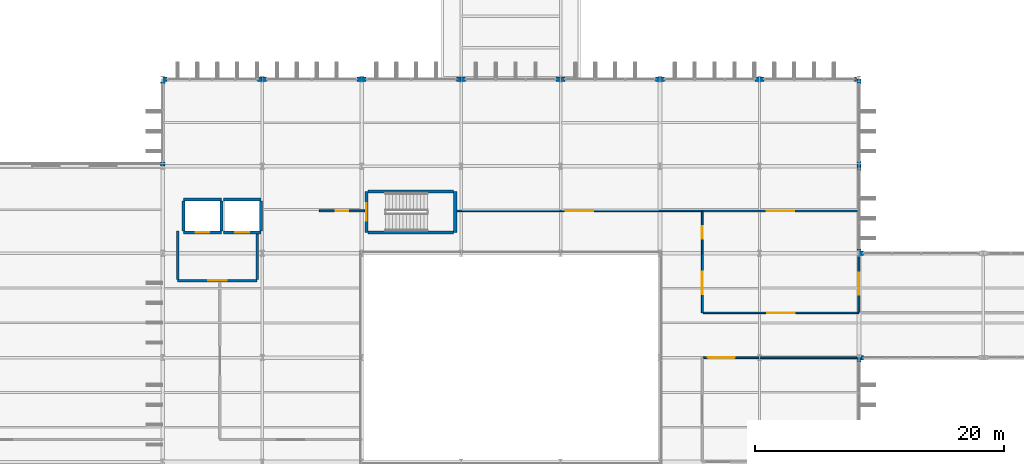
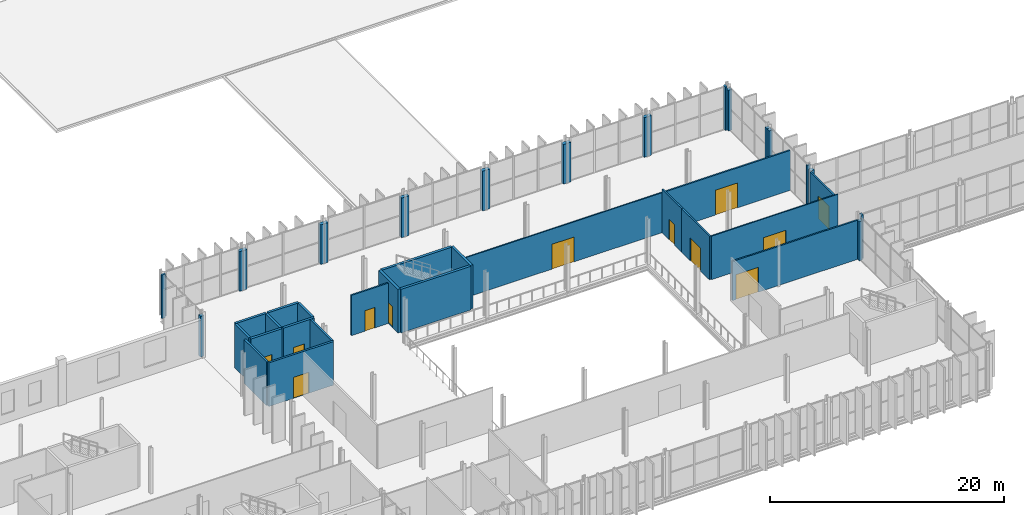
# One storey, part 99 of 120: 45 walls, 12 doors, 12 openings.
"""IFC4 building model written with IfcOpenShell, lengths in metres."""

from ifc_helpers import new_model, si_unit, direction, frame, frame_2d, origin, place, context, subcontext, project, spatial, rectangle, extrude, material, layer, layer_set, type_object, element, fill, save


model = new_model("IFC4")

# Units and contexts
model_context = context("Model", 3, precision=1e-05, world=origin(), true_north=direction((0.0, 1.0)))
body_context = subcontext(model_context, "Body", "Model", "MODEL_VIEW")
ifc_project = project(units=[si_unit("LENGTHUNIT", "METRE"), si_unit("AREAUNIT", "SQUARE_METRE"), si_unit("VOLUMEUNIT", "CUBIC_METRE"), si_unit("PLANEANGLEUNIT", "RADIAN"), si_unit("MASSUNIT", "GRAM", prefix="KILO")], contexts=[model_context])

# Site, building, storey
site_placement = place(None, origin())
site = spatial("IfcSite", under=ifc_project, at=site_placement, CompositionType="ELEMENT")
building_placement = place(site_placement, origin())
building = spatial("IfcBuilding", under=site, at=building_placement, Name="Vekula Escarpment Museum", CompositionType="ELEMENT")
storey_placement = place(building_placement, frame((0.0, 0.0, 13.199951171875)))
storey = spatial("IfcBuildingStorey", under=building, at=storey_placement, Name="L03", CompositionType="ELEMENT", Elevation=13.199951171875)

# Walls
ifc_material_1 = material(Name="Inkisi arkosic sandstone masonry", Category="masonry")
ifc_layer_1 = layer(ifc_material_1, 0.35009765625)
ifc_layer_set_1 = layer_set([ifc_layer_1], Name="Inkisi arkosic sandstone masonry")
wall_type_1 = type_object("IfcWallType", Name="WL-ALM-350", PredefinedType="SOLIDWALL", material=ifc_layer_set_1)
wall_1_placement = place(storey_placement, frame((126.0, 67.639892578125, 0.0), z_axis=(0.0, 0.0, 1.0), x_axis=(0.0, 1.0, 0.0)))
element("IfcWall", 1, at=wall_1_placement, inside=storey, type_object=wall_type_1, Name="Facade Jamb Pier L03-0583B", PredefinedType="SOLIDWALL", context=body_context, shape_type="SweptSolid", body=[
    extrude(rectangle(XDim=0.360107421875, YDim=0.35009765625, at=frame_2d((0.18017578125, 0.0))), origin(), (0.0, 0.0, 1.0), 4.10498046875),
])
wall_2_placement = place(storey_placement, frame((126.178955078125, 68.0, 0.0), z_axis=(0.0, 0.0, 1.0), x_axis=(1.0, 0.0, 0.0)))
element("IfcWall", 2, at=wall_2_placement, inside=storey, type_object=wall_type_1, Name="Facade Jamb Pier L03-0584A", PredefinedType="SOLIDWALL", context=body_context, shape_type="SweptSolid", body=[
    extrude(rectangle(XDim=0.18115234375, YDim=0.35009765625, at=frame_2d((0.090576171875, 0.0))), origin(), (0.0, 0.0, 1.0), 4.56005859375),
])
wall_3_placement = place(storey_placement, frame((126.360107421875, 76.39990234375, 0.0), z_axis=(0.0, 0.0, 1.0), x_axis=(-1.0, 0.0, 0.0)))
element("IfcWall", 3, at=wall_3_placement, inside=storey, type_object=wall_type_1, Name="Facade Jamb Pier L03-0628B", PredefinedType="SOLIDWALL", context=body_context, shape_type="SweptSolid", body=[
    extrude(rectangle(XDim=0.360107421875, YDim=0.35009765625, at=frame_2d((0.18017578125, 0.0))), origin(), (0.0, 0.0, 1.0), 4.155029296875),
])
wall_4_placement = place(storey_placement, frame((126.0, 76.5791015625, 0.0), z_axis=(0.0, 0.0, 1.0), x_axis=(0.0, 1.0, 0.0)))
element("IfcWall", 4, at=wall_4_placement, inside=storey, type_object=wall_type_1, Name="Facade Jamb Pier L03-0629A", PredefinedType="SOLIDWALL", context=body_context, shape_type="SweptSolid", body=[
    extrude(rectangle(XDim=0.180908203125, YDim=0.35009765625, at=frame_2d((0.09033203125, 0.0))), origin(), (0.0, 0.0, 1.0), 4.56005859375),
])
wall_5_placement = place(storey_placement, frame((126.0, 83.0400390625, 0.0), z_axis=(0.0, 0.0, 1.0), x_axis=(0.0, 1.0, 0.0)))
element("IfcWall", 5, at=wall_5_placement, inside=storey, type_object=wall_type_1, Name="Facade Jamb Pier L03-0630B", PredefinedType="SOLIDWALL", context=body_context, shape_type="SweptSolid", body=[
    extrude(rectangle(XDim=0.35986328125, YDim=0.35009765625, at=frame_2d((0.179931640625, 0.0))), origin(), (0.0, 0.0, 1.0), 4.255126953125),
])
wall_6_placement = place(storey_placement, frame((126.0, 83.39990234375, 0.0), z_axis=(0.0, 0.0, 1.0), x_axis=(0.0, 1.0, 0.0)))
element("IfcWall", 6, at=wall_6_placement, inside=storey, type_object=wall_type_1, Name="Facade Jamb Pier L03-0631A", PredefinedType="SOLIDWALL", context=body_context, shape_type="SweptSolid", body=[
    extrude(rectangle(XDim=0.360107421875, YDim=0.35009765625, at=frame_2d((0.18017578125, 0.0))), origin(), (0.0, 0.0, 1.0), 4.255126953125),
])
wall_7_placement = place(storey_placement, frame((126.0, 90.0400390625, 0.0), z_axis=(0.0, 0.0, 1.0), x_axis=(0.0, 1.0, 0.0)))
element("IfcWall", 7, at=wall_7_placement, inside=storey, type_object=wall_type_1, Name="Facade Jamb Pier L03-0632B", PredefinedType="SOLIDWALL", context=body_context, shape_type="SweptSolid", body=[
    extrude(rectangle(XDim=0.35986328125, YDim=0.35009765625, at=frame_2d((0.179931640625, 0.0))), origin(), (0.0, 0.0, 1.0), 4.255126953125),
])
wall_8_placement = place(storey_placement, frame((125.821044921875, 90.39990234375, 0.0), z_axis=(0.0, 0.0, 1.0), x_axis=(-1.0, 0.0, 0.0)))
element("IfcWall", 8, at=wall_8_placement, inside=storey, type_object=wall_type_1, Name="Facade Jamb Pier L03-0633A", PredefinedType="SOLIDWALL", context=body_context, shape_type="SweptSolid", body=[
    extrude(rectangle(XDim=0.18115234375, YDim=0.35009765625, at=frame_2d((0.090576171875, 0.0))), origin(), (0.0, 0.0, 1.0), 4.56005859375),
])
for number, where, z_axis, x_axis, name in (
    (9, (118.360107421875, 90.39990234375, 0.0), (0.0, 0.0, 1.0), (-1.0, 0.0, 0.0), "Facade Jamb Pier L03-0634B"),
    (10, (118.0, 90.39990234375, 0.0), (0.0, 0.0, 1.0), (-1.0, 0.0, 0.0), "Facade Jamb Pier L03-0635A"),
    (11, (110.360107421875, 90.39990234375, 0.0), (0.0, 0.0, 1.0), (-1.0, 0.0, 0.0), "Facade Jamb Pier L03-0636B"),
    (12, (110.0, 90.39990234375, 0.0), (0.0, 0.0, 1.0), (-1.0, 0.0, 0.0), "Facade Jamb Pier L03-0637A"),
    (13, (102.360107421875, 90.39990234375, 0.0), (0.0, 0.0, 1.0), (-1.0, 0.0, 0.0), "Facade Jamb Pier L03-0638B"),
    (14, (102.0, 90.39990234375, 0.0), (0.0, 0.0, 1.0), (-1.0, 0.0, 0.0), "Facade Jamb Pier L03-0639A"),
    (15, (94.360107421875, 90.39990234375, 0.0), (0.0, 0.0, 1.0), (-1.0, 0.0, 0.0), "Facade Jamb Pier L03-0640B"),
    (16, (94.0, 90.39990234375, 0.0), (0.0, 0.0, 1.0), (-1.0, 0.0, 0.0), "Facade Jamb Pier L03-0641A"),
    (17, (86.360107421875, 90.39990234375, 0.0), (0.0, 0.0, 1.0), (-1.0, 0.0, 0.0), "Facade Jamb Pier L03-0642B"),
    (18, (86.0, 90.39990234375, 0.0), (0.0, 0.0, 1.0), (-1.0, 0.0, 0.0), "Facade Jamb Pier L03-0643A"),
    (19, (78.360107421875, 90.39990234375, 0.0), (0.0, 0.0, 1.0), (-1.0, 0.0, 0.0), "Facade Jamb Pier L03-0644B"),
    (20, (78.0, 90.39990234375, 0.0), (0.0, 0.0, 1.0), (-1.0, 0.0, 0.0), "Facade Jamb Pier L03-0645A"),
    (21, (70.360107421875, 90.39990234375, 0.0), (0.0, 0.0, 1.0), (-1.0, 0.0, 0.0), "Facade Jamb Pier L03-0646B"),
):
    element("IfcWall", number, at=place(storey_placement, frame(where, z_axis=z_axis, x_axis=x_axis)), inside=storey, type_object=wall_type_1, Name=name, PredefinedType="SOLIDWALL", context=body_context, shape_type="SweptSolid", body=[
        extrude(rectangle(XDim=0.360107421875, YDim=0.35009765625, at=frame_2d((0.18017578125, 0.0))), origin(), (0.0, 0.0, 1.0), 4.155029296875),
    ])
wall_9_placement = place(storey_placement, frame((70.0, 90.220947265625, 0.0), z_axis=(0.0, 0.0, 1.0), x_axis=(0.0, -1.0, 0.0)))
element("IfcWall", 22, at=wall_9_placement, inside=storey, type_object=wall_type_1, Name="Facade Jamb Pier L03-0647A", PredefinedType="SOLIDWALL", context=body_context, shape_type="SweptSolid", body=[
    extrude(rectangle(XDim=0.180908203125, YDim=0.35009765625, at=frame_2d((0.09033203125, 0.0))), origin(), (0.0, 0.0, 1.0), 4.56005859375),
])
wall_10_placement = place(storey_placement, frame((70.0, 83.760009765625, 0.0), z_axis=(0.0, 0.0, 1.0), x_axis=(0.0, -1.0, 0.0)))
element("IfcWall", 23, at=wall_10_placement, inside=storey, type_object=wall_type_1, Name="Facade Jamb Pier L03-0648B", PredefinedType="SOLIDWALL", context=body_context, shape_type="SweptSolid", body=[
    extrude(rectangle(XDim=0.360107421875, YDim=0.35009765625, at=frame_2d((0.18017578125, 0.0))), origin(), (0.0, 0.0, 1.0), 4.255126953125),
])

# Wall, opening, door
ifc_material_2 = material(Name="Concrete C35/45", Category="concrete")
ifc_layer_2 = layer(ifc_material_2, 0.25)
ifc_layer_set_2 = layer_set([ifc_layer_2], Name="Concrete C35/45")
wall_type_2 = type_object("IfcWallType", Name="WL-CORE-250", PredefinedType="SHEAR", material=ifc_layer_set_2)
wall_11_placement = place(storey_placement, frame((86.375, 78.074951171875, 0.0), z_axis=(0.0, 0.0, 1.0), x_axis=(0.0, 1.0, 0.0)))
wall_11 = element("IfcWall", 24, at=wall_11_placement, inside=storey, type_object=wall_type_2, Name="Stair Core Wall ST-09 L03 W", PredefinedType="SHEAR", context=body_context, shape_type="SweptSolid", body=[
    extrude(rectangle(XDim=3.2900390625, YDim=0.25, at=frame_2d((1.64501953125, 0.0))), origin(), (0.0, 0.0, 1.0), 4.56005859375),
])
opening_1_placement = place(wall_11_placement, frame((0.945068359375, 0.0, 0.0)))
opening_1 = element("IfcOpeningElement", 25, at=opening_1_placement, cuts=wall_11, Name="Opening DR-FD60", PredefinedType="OPENING", context=body_context, shape_type="SweptSolid", body=[
    extrude(rectangle(XDim=1.39990234375, YDim=2.199951171875, at=frame_2d((0.699951171875, 1.10009765625))), frame((0.0, 0.135009765625, 0.0), z_axis=(0.0, -1.0, 0.0), x_axis=(1.0, 0.0, 0.0)), (0.0, 0.0, 1.0), 0.27001953125),
])
ifc_material_3 = material(Name="Fire-rated steel stair door", Category="steel")
door_type_1 = type_object("IfcDoorType", Name="DR-STAIR-1400x2200", OperationType="NOTDEFINED", PredefinedType="DOOR", material=ifc_material_3)
door_1_placement = place(opening_1_placement, origin())
door_1 = element("IfcDoor", 26, at=door_1_placement, inside=storey, type_object=door_type_1, Name="Protected Exit Stair Door ST-09 L03", OperationType="SINGLE_SWING_RIGHT", OverallHeight=2.199951171875, OverallWidth=1.39990234375, PredefinedType="DOOR", context=body_context, shape_type="SweptSolid", body=[
    extrude(rectangle(XDim=1.39990234375, YDim=2.199951171875, at=frame_2d((0.699951171875, 1.10009765625))), frame((0.0, 0.02490234375, 0.0), z_axis=(0.0, -1.0, 0.0), x_axis=(1.0, 0.0, 0.0)), (0.0, 0.0, 1.0), 0.050048828125),
])
fill(opening_1, door_1)

# Walls
wall_12_placement = place(storey_placement, frame((93.52490234375, 78.074951171875, 0.0), z_axis=(0.0, 0.0, 1.0), x_axis=(0.0, 1.0, 0.0)))
element("IfcWall", 27, at=wall_12_placement, inside=storey, type_object=wall_type_2, Name="Stair Core Wall ST-09 L03 E", PredefinedType="SHEAR", context=body_context, shape_type="SweptSolid", body=[
    extrude(rectangle(XDim=3.2900390625, YDim=0.25, at=frame_2d((1.64501953125, 0.0))), origin(), (0.0, 0.0, 1.0), 4.56005859375),
])
for number, where, z_axis, x_axis, name in (
    (28, (86.50390625, 78.074951171875, 0.0), (0.0, 0.0, 1.0), (1.0, 0.0, 0.0), "Stair Core Wall ST-09 L03 S"),
    (29, (86.50390625, 81.364990234375, 0.0), (0.0, 0.0, 1.0), (1.0, 0.0, 0.0), "Stair Core Wall ST-09 L03 N"),
):
    element("IfcWall", number, at=place(storey_placement, frame(where, z_axis=z_axis, x_axis=x_axis)), inside=storey, type_object=wall_type_2, Name=name, PredefinedType="SHEAR", context=body_context, shape_type="SweptSolid", body=[
        extrude(rectangle(XDim=6.89208984375, YDim=0.25, at=frame_2d((3.446044921875, 0.0))), origin(), (0.0, 0.0, 1.0), 4.56005859375),
    ])

# Wall, opening, door
ifc_material_4 = material(Name="Concrete C35/45", Category="concrete")
ifc_layer_3 = layer(ifc_material_4, 0.199951171875)
ifc_layer_set_3 = layer_set([ifc_layer_3], Name="Concrete C35/45")
wall_type_3 = type_object("IfcWallType", Name="WL-FFL-200", PredefinedType="PARTITIONING", material=ifc_layer_set_3)
wall_13_placement = place(storey_placement, frame((71.199951171875, 74.199951171875, 0.0), z_axis=(0.0, 0.0, 1.0), x_axis=(1.0, 0.0, 0.0)))
wall_13 = element("IfcWall", 30, at=wall_13_placement, inside=storey, type_object=wall_type_3, Name="Lift Lobby Wall LP-01 L03 S", PredefinedType="PARTITIONING", context=body_context, shape_type="SweptSolid", body=[
    extrude(rectangle(XDim=6.400146484375, YDim=0.199951171875, at=frame_2d((3.2001953125, 0.0))), origin(), (0.0, 0.0, 1.0), 4.56005859375),
])
opening_2_placement = place(wall_13_placement, frame((2.449951171875, 0.0, 0.0)))
opening_2 = element("IfcOpeningElement", 31, at=opening_2_placement, cuts=wall_13, Name="Opening DR-FD60L", PredefinedType="OPENING", context=body_context, shape_type="SweptSolid", body=[
    extrude(rectangle(XDim=1.5, YDim=2.199951171875, at=frame_2d((0.75, 1.10009765625))), frame((0.0, 0.10986328125, 0.0), z_axis=(0.0, -1.0, 0.0), x_axis=(1.0, 0.0, 0.0)), (0.0, 0.0, 1.0), 0.219970703125),
])
ifc_material_5 = material(Name="Fire-rated glazed lobby door", Category="steel")
door_type_2 = type_object("IfcDoorType", Name="DR-FFLOB-1500x2200", OperationType="NOTDEFINED", PredefinedType="DOOR", material=ifc_material_5)
door_2_placement = place(opening_2_placement, origin())
door_2 = element("IfcDoor", 32, at=door_2_placement, inside=storey, type_object=door_type_2, Name="Lift Lobby Fire Door LP-01 L03", OperationType="SINGLE_SWING_LEFT", OverallHeight=2.199951171875, OverallWidth=1.5, PredefinedType="DOOR", context=body_context, shape_type="SweptSolid", body=[
    extrude(rectangle(XDim=1.5, YDim=2.199951171875, at=frame_2d((0.75, 1.10009765625))), frame((0.0, 0.02490234375, 0.0), z_axis=(0.0, -1.0, 0.0), x_axis=(1.0, 0.0, 0.0)), (0.0, 0.0, 1.0), 0.050048828125),
])
fill(opening_2, door_2)

# Walls
wall_14_placement = place(storey_placement, frame((71.199951171875, 74.303955078125, 0.0), z_axis=(0.0, 0.0, 1.0), x_axis=(0.0, 1.0, 0.0)))
element("IfcWall", 33, at=wall_14_placement, inside=storey, type_object=wall_type_3, Name="Lift Lobby Wall LP-01 L03 W", PredefinedType="PARTITIONING", context=body_context, shape_type="SweptSolid", body=[
    extrude(rectangle(XDim=3.89599609375, YDim=0.199951171875, at=frame_2d((1.947998046875, 0.0))), origin(), (0.0, 0.0, 1.0), 4.56005859375),
])
wall_15_placement = place(storey_placement, frame((77.60009765625, 74.303955078125, 0.0), z_axis=(0.0, 0.0, 1.0), x_axis=(0.0, 1.0, 0.0)))
element("IfcWall", 34, at=wall_15_placement, inside=storey, type_object=wall_type_3, Name="Lift Lobby Wall LP-01 L03 E", PredefinedType="PARTITIONING", context=body_context, shape_type="SweptSolid", body=[
    extrude(rectangle(XDim=3.652099609375, YDim=0.199951171875, at=frame_2d((1.826171875, 0.0))), origin(), (0.0, 0.0, 1.0), 4.56005859375),
])

# Wall, opening, door
ifc_material_6 = material(Name="Lightweight studio partition", Category="gypsum")
ifc_layer_4 = layer(ifc_material_6, 0.1201171875)
ifc_layer_set_4 = layer_set([ifc_layer_4], Name="Lightweight studio partition")
wall_type_4 = type_object("IfcWallType", Name="WL-PART-120", PredefinedType="PARTITIONING", material=ifc_layer_set_4)
wall_16_placement = place(storey_placement, frame((93.654052734375, 79.800048828125, 0.0), z_axis=(0.0, 0.0, 1.0), x_axis=(1.0, 0.0, 0.0)))
wall_16 = element("IfcWall", 35, at=wall_16_placement, inside=storey, type_object=wall_type_4, Name="Interior Partition WL-INT-L03-0030", PredefinedType="PARTITIONING", context=body_context, shape_type="SweptSolid", body=[
    extrude(rectangle(XDim=19.745849609375, YDim=0.1201171875, at=frame_2d((9.873046875, 0.0))), origin(), (0.0, 0.0, 1.0), 4.18505859375),
])
opening_3_placement = place(wall_16_placement, frame((8.77294921875, 0.0, 0.0)))
opening_3 = element("IfcOpeningElement", 36, at=opening_3_placement, cuts=wall_16, Name="Opening DR-GL22", PredefinedType="OPENING", context=body_context, shape_type="SweptSolid", body=[
    extrude(rectangle(XDim=2.199951171875, YDim=2.60009765625, at=frame_2d((1.10009765625, 1.300048828125))), frame((0.0, 0.070068359375, 0.0), z_axis=(0.0, -1.0, 0.0), x_axis=(1.0, 0.0, 0.0)), (0.0, 0.0, 1.0), 0.14013671875),
])
ifc_material_7 = material(Name="Double acoustic timber gallery door", Category="wood")
door_type_3 = type_object("IfcDoorType", Name="DR-GAL-2200x2600", OperationType="NOTDEFINED", PredefinedType="DOOR", material=ifc_material_7)
door_3_placement = place(opening_3_placement, origin())
door_3 = element("IfcDoor", 37, at=door_3_placement, inside=storey, type_object=door_type_3, Name="Interior Door L03-029", OperationType="SINGLE_SWING_RIGHT", OverallHeight=2.60009765625, OverallWidth=2.199951171875, PredefinedType="DOOR", context=body_context, shape_type="SweptSolid", body=[
    extrude(rectangle(XDim=2.199951171875, YDim=2.60009765625, at=frame_2d((1.10009765625, 1.300048828125))), frame((0.0, 0.02490234375, 0.0), z_axis=(0.0, -1.0, 0.0), x_axis=(1.0, 0.0, 0.0)), (0.0, 0.0, 1.0), 0.050048828125),
])
fill(opening_3, door_3)

wall_17_placement = place(storey_placement, frame((113.48388671875, 71.60009765625, 0.0), z_axis=(0.0, 0.0, 1.0), x_axis=(1.0, 0.0, 0.0)))
wall_17 = element("IfcWall", 38, at=wall_17_placement, inside=storey, type_object=wall_type_4, Name="Interior Partition WL-INT-L03-0036", PredefinedType="PARTITIONING", context=body_context, shape_type="SweptSolid", body=[
    extrude(rectangle(XDim=12.51611328125, YDim=0.1201171875, at=frame_2d((6.258056640625, 0.0))), origin(), (0.0, 0.0, 1.0), 4.56005859375),
])
opening_4_placement = place(wall_17_placement, frame((5.157958984375, 0.0, 0.0)))
opening_4 = element("IfcOpeningElement", 39, at=opening_4_placement, cuts=wall_17, Name="Opening DR-GL22", PredefinedType="OPENING", context=body_context, shape_type="SweptSolid", body=[
    extrude(rectangle(XDim=2.199951171875, YDim=2.60009765625, at=frame_2d((1.10009765625, 1.300048828125))), frame((0.0, 0.070068359375, 0.0), z_axis=(0.0, -1.0, 0.0), x_axis=(1.0, 0.0, 0.0)), (0.0, 0.0, 1.0), 0.14013671875),
])
door_4_placement = place(opening_4_placement, origin())
door_4 = element("IfcDoor", 40, at=door_4_placement, inside=storey, type_object=door_type_3, Name="Interior Door L03-035", OperationType="SINGLE_SWING_RIGHT", OverallHeight=2.60009765625, OverallWidth=2.199951171875, PredefinedType="DOOR", context=body_context, shape_type="SweptSolid", body=[
    extrude(rectangle(XDim=2.199951171875, YDim=2.60009765625, at=frame_2d((1.10009765625, 1.300048828125))), frame((0.0, 0.02490234375, 0.0), z_axis=(0.0, -1.0, 0.0), x_axis=(1.0, 0.0, 0.0)), (0.0, 0.0, 1.0), 0.050048828125),
])
fill(opening_4, door_4)

ifc_material_8 = material(Name="Gypsum board dry-lined partition", Category="gypsum")
ifc_layer_5 = layer(ifc_material_8, 0.14990234375)
ifc_layer_set_5 = layer_set([ifc_layer_5], Name="Gypsum board dry-lined partition")
wall_type_5 = type_object("IfcWallType", Name="WL-PART-150", PredefinedType="PARTITIONING", material=ifc_layer_set_5)
wall_18_placement = place(storey_placement, frame((113.39990234375, 76.39990234375, 0.0), z_axis=(0.0, 0.0, 1.0), x_axis=(0.0, 1.0, 0.0)))
wall_18 = element("IfcWall", 41, at=wall_18_placement, inside=storey, type_object=wall_type_5, Name="Interior Partition WL-INT-L03-0032", PredefinedType="PARTITIONING", context=body_context, shape_type="SweptSolid", body=[
    extrude(rectangle(XDim=3.336181640625, YDim=0.14990234375, at=frame_2d((1.66796875, 0.0))), origin(), (0.0, 0.0, 1.0), 4.56005859375),
])
opening_5_placement = place(wall_18_placement, frame((1.16796875, 0.0, 0.0)))
opening_5 = element("IfcOpeningElement", 42, at=opening_5_placement, cuts=wall_18, Name="Opening DR-OF10", PredefinedType="OPENING", context=body_context, shape_type="SweptSolid", body=[
    extrude(rectangle(XDim=1.0, YDim=2.14990234375, at=frame_2d((0.5, 1.074951171875))), frame((0.0, 0.0849609375, 0.0), z_axis=(0.0, -1.0, 0.0), x_axis=(1.0, 0.0, 0.0)), (0.0, 0.0, 1.0), 0.169921875),
])
ifc_material_9 = material(Name="Solid core timber study door", Category="wood")
door_type_4 = type_object("IfcDoorType", Name="DR-OFF-1000x2150", OperationType="NOTDEFINED", PredefinedType="DOOR", material=ifc_material_9)
door_5_placement = place(opening_5_placement, origin())
door_5 = element("IfcDoor", 43, at=door_5_placement, inside=storey, type_object=door_type_4, Name="Interior Door L03-031", OperationType="SINGLE_SWING_RIGHT", OverallHeight=2.14990234375, OverallWidth=1.0, PredefinedType="DOOR", context=body_context, shape_type="SweptSolid", body=[
    extrude(rectangle(XDim=1.0, YDim=2.14990234375, at=frame_2d((0.5, 1.074951171875))), frame((0.0, 0.02490234375, 0.0), z_axis=(0.0, -1.0, 0.0), x_axis=(1.0, 0.0, 0.0)), (0.0, 0.0, 1.0), 0.050048828125),
])
fill(opening_5, door_5)

wall_19_placement = place(storey_placement, frame((113.39990234375, 79.800048828125, 0.0), z_axis=(0.0, 0.0, 1.0), x_axis=(1.0, 0.0, 0.0)))
wall_19 = element("IfcWall", 44, at=wall_19_placement, inside=storey, type_object=wall_type_5, Name="Interior Partition WL-INT-L03-0035", PredefinedType="PARTITIONING", context=body_context, shape_type="SweptSolid", body=[
    extrude(rectangle(XDim=12.60009765625, YDim=0.14990234375, at=frame_2d((6.300048828125, 0.0))), origin(), (0.0, 0.0, 1.0), 4.18505859375),
])
opening_6_placement = place(wall_19_placement, frame((5.199951171875, 0.0, 0.0)))
opening_6 = element("IfcOpeningElement", 45, at=opening_6_placement, cuts=wall_19, Name="Opening DR-GL22", PredefinedType="OPENING", context=body_context, shape_type="SweptSolid", body=[
    extrude(rectangle(XDim=2.199951171875, YDim=2.60009765625, at=frame_2d((1.10009765625, 1.300048828125))), frame((0.0, 0.0849609375, 0.0), z_axis=(0.0, -1.0, 0.0), x_axis=(1.0, 0.0, 0.0)), (0.0, 0.0, 1.0), 0.169921875),
])
door_6_placement = place(opening_6_placement, origin())
door_6 = element("IfcDoor", 46, at=door_6_placement, inside=storey, type_object=door_type_3, Name="Interior Door L03-034", OperationType="SINGLE_SWING_LEFT", OverallHeight=2.60009765625, OverallWidth=2.199951171875, PredefinedType="DOOR", context=body_context, shape_type="SweptSolid", body=[
    extrude(rectangle(XDim=2.199951171875, YDim=2.60009765625, at=frame_2d((1.10009765625, 1.300048828125))), frame((0.0, 0.02490234375, 0.0), z_axis=(0.0, -1.0, 0.0), x_axis=(1.0, 0.0, 0.0)), (0.0, 0.0, 1.0), 0.050048828125),
])
fill(opening_6, door_6)

wall_20_placement = place(storey_placement, frame((113.47900390625, 68.0, 0.0), z_axis=(0.0, 0.0, 1.0), x_axis=(1.0, 0.0, 0.0)))
wall_20 = element("IfcWall", 47, at=wall_20_placement, inside=storey, type_object=wall_type_5, Name="Interior Partition WL-INT-L03-0038", PredefinedType="PARTITIONING", context=body_context, shape_type="SweptSolid", body=[
    extrude(rectangle(XDim=12.342041015625, YDim=0.14990234375, at=frame_2d((6.1708984375, 0.0))), origin(), (0.0, 0.0, 1.0), 4.094970703125),
])
opening_7_placement = place(wall_20_placement, frame((0.35009765625, 0.0, 0.0)))
opening_7 = element("IfcOpeningElement", 48, at=opening_7_placement, cuts=wall_20, Name="Opening DR-GL22", PredefinedType="OPENING", context=body_context, shape_type="SweptSolid", body=[
    extrude(rectangle(XDim=2.199951171875, YDim=2.60009765625, at=frame_2d((1.10009765625, 1.300048828125))), frame((0.0, 0.0849609375, 0.0), z_axis=(0.0, -1.0, 0.0), x_axis=(1.0, 0.0, 0.0)), (0.0, 0.0, 1.0), 0.169921875),
])
door_7_placement = place(opening_7_placement, origin())
door_7 = element("IfcDoor", 49, at=door_7_placement, inside=storey, type_object=door_type_3, Name="Interior Door L03-037", OperationType="SINGLE_SWING_RIGHT", OverallHeight=2.60009765625, OverallWidth=2.199951171875, PredefinedType="DOOR", context=body_context, shape_type="SweptSolid", body=[
    extrude(rectangle(XDim=2.199951171875, YDim=2.60009765625, at=frame_2d((1.10009765625, 1.300048828125))), frame((0.0, 0.02490234375, 0.0), z_axis=(0.0, -1.0, 0.0), x_axis=(1.0, 0.0, 0.0)), (0.0, 0.0, 1.0), 0.050048828125),
])
fill(opening_7, door_7)

ifc_material_10 = material(Name="Gypsum board gallery partition", Category="gypsum")
ifc_layer_6 = layer(ifc_material_10, 0.159912109375)
ifc_layer_set_6 = layer_set([ifc_layer_6], Name="Gypsum board gallery partition")
wall_type_6 = type_object("IfcWallType", Name="WL-PART-160", PredefinedType="PARTITIONING", material=ifc_layer_set_6)
wall_21_placement = place(storey_placement, frame((113.39990234375, 71.60009765625, 0.0), z_axis=(0.0, 0.0, 1.0), x_axis=(0.0, 1.0, 0.0)))
wall_21 = element("IfcWall", 50, at=wall_21_placement, inside=storey, type_object=wall_type_6, Name="Interior Partition WL-INT-L03-0028", PredefinedType="PARTITIONING", context=body_context, shape_type="SweptSolid", body=[
    extrude(rectangle(XDim=4.7998046875, YDim=0.159912109375, at=frame_2d((2.39990234375, 0.0))), origin(), (0.0, 0.0, 1.0), 4.56005859375),
])
opening_8_placement = place(wall_21_placement, frame((1.5, 0.0, 0.0)))
opening_8 = element("IfcOpeningElement", 51, at=opening_8_placement, cuts=wall_21, Name="Opening DR-GL18", PredefinedType="OPENING", context=body_context, shape_type="SweptSolid", body=[
    extrude(rectangle(XDim=1.800048828125, YDim=2.39990234375, at=frame_2d((0.89990234375, 1.199951171875))), frame((0.0, 0.08984375, 0.0), z_axis=(0.0, -1.0, 0.0), x_axis=(1.0, 0.0, 0.0)), (0.0, 0.0, 1.0), 0.179931640625),
])
ifc_material_11 = material(Name="Double glazed gallery portal door", Category="steel")
door_type_5 = type_object("IfcDoorType", Name="DR-GAL-1800x2400", OperationType="NOTDEFINED", PredefinedType="DOOR", material=ifc_material_11)
door_8_placement = place(opening_8_placement, origin())
door_8 = element("IfcDoor", 52, at=door_8_placement, inside=storey, type_object=door_type_5, Name="Interior Door L03-027", OperationType="SINGLE_SWING_RIGHT", OverallHeight=2.39990234375, OverallWidth=1.800048828125, PredefinedType="DOOR", context=body_context, shape_type="SweptSolid", body=[
    extrude(rectangle(XDim=1.800048828125, YDim=2.39990234375, at=frame_2d((0.89990234375, 1.199951171875))), frame((0.0, 0.02490234375, 0.0), z_axis=(0.0, -1.0, 0.0), x_axis=(1.0, 0.0, 0.0)), (0.0, 0.0, 1.0), 0.050048828125),
])
fill(opening_8, door_8)

wall_22_placement = place(storey_placement, frame((82.60009765625, 79.800048828125, 0.0), z_axis=(0.0, 0.0, 1.0), x_axis=(1.0, 0.0, 0.0)))
wall_22 = element("IfcWall", 53, at=wall_22_placement, inside=storey, type_object=wall_type_6, Name="Interior Partition WL-INT-L03-0031", PredefinedType="PARTITIONING", context=body_context, shape_type="SweptSolid", body=[
    extrude(rectangle(XDim=3.64599609375, YDim=0.159912109375, at=frame_2d((1.822998046875, 0.0))), origin(), (0.0, 0.0, 1.0), 4.215087890625),
])
opening_9_placement = place(wall_22_placement, frame((1.322998046875, 0.0, 0.0)))
opening_9 = element("IfcOpeningElement", 54, at=opening_9_placement, cuts=wall_22, Name="Opening DR-OF10", PredefinedType="OPENING", context=body_context, shape_type="SweptSolid", body=[
    extrude(rectangle(XDim=1.0, YDim=2.14990234375, at=frame_2d((0.5, 1.074951171875))), frame((0.0, 0.08984375, 0.0), z_axis=(0.0, -1.0, 0.0), x_axis=(1.0, 0.0, 0.0)), (0.0, 0.0, 1.0), 0.179931640625),
])
door_9_placement = place(opening_9_placement, origin())
door_9 = element("IfcDoor", 55, at=door_9_placement, inside=storey, type_object=door_type_4, Name="Interior Door L03-030", OperationType="SINGLE_SWING_LEFT", OverallHeight=2.14990234375, OverallWidth=1.0, PredefinedType="DOOR", context=body_context, shape_type="SweptSolid", body=[
    extrude(rectangle(XDim=1.0, YDim=2.14990234375, at=frame_2d((0.5, 1.074951171875))), frame((0.0, 0.02490234375, 0.0), z_axis=(0.0, -1.0, 0.0), x_axis=(1.0, 0.0, 0.0)), (0.0, 0.0, 1.0), 0.050048828125),
])
fill(opening_9, door_9)

wall_23_placement = place(storey_placement, frame((126.0, 71.6640625, 0.0), z_axis=(0.0, 0.0, 1.0), x_axis=(0.0, 1.0, 0.0)))
wall_23 = element("IfcWall", 56, at=wall_23_placement, inside=storey, type_object=wall_type_6, Name="Interior Partition WL-INT-L03-0037", PredefinedType="PARTITIONING", context=body_context, shape_type="SweptSolid", body=[
    extrude(rectangle(XDim=4.556884765625, YDim=0.159912109375, at=frame_2d((2.2783203125, 0.0))), origin(), (0.0, 0.0, 1.0), 4.10498046875),
])
opening_10_placement = place(wall_23_placement, frame((1.37841796875, 0.0, 0.0)))
opening_10 = element("IfcOpeningElement", 57, at=opening_10_placement, cuts=wall_23, Name="Opening DR-GL18", PredefinedType="OPENING", context=body_context, shape_type="SweptSolid", body=[
    extrude(rectangle(XDim=1.800048828125, YDim=2.39990234375, at=frame_2d((0.89990234375, 1.199951171875))), frame((0.0, 0.08984375, 0.0), z_axis=(0.0, -1.0, 0.0), x_axis=(1.0, 0.0, 0.0)), (0.0, 0.0, 1.0), 0.179931640625),
])
door_10_placement = place(opening_10_placement, origin())
door_10 = element("IfcDoor", 58, at=door_10_placement, inside=storey, type_object=door_type_5, Name="Interior Door L03-036", OperationType="SINGLE_SWING_LEFT", OverallHeight=2.39990234375, OverallWidth=1.800048828125, PredefinedType="DOOR", context=body_context, shape_type="SweptSolid", body=[
    extrude(rectangle(XDim=1.800048828125, YDim=2.39990234375, at=frame_2d((0.89990234375, 1.199951171875))), frame((0.0, 0.02490234375, 0.0), z_axis=(0.0, -1.0, 0.0), x_axis=(1.0, 0.0, 0.0)), (0.0, 0.0, 1.0), 0.050048828125),
])
fill(opening_10, door_10)

ifc_material_12 = material(Name="Concrete C35/45", Category="concrete")
ifc_layer_7 = layer(ifc_material_12, 0.239990234375)
ifc_layer_set_7 = layer_set([ifc_layer_7], Name="Concrete C35/45")
wall_type_7 = type_object("IfcWallType", Name="WL-SHF-240", PredefinedType="SHEAR", material=ifc_layer_set_7)
wall_24_placement = place(storey_placement, frame((71.679931640625, 78.080078125, 0.0), z_axis=(0.0, 0.0, 1.0), x_axis=(1.0, 0.0, 0.0)))
wall_24 = element("IfcWall", 59, at=wall_24_placement, inside=storey, type_object=wall_type_7, Name="Lift Shaft Wall LP-01 L03 S", PredefinedType="SHEAR", context=body_context, shape_type="SweptSolid", body=[
    extrude(rectangle(XDim=3.0400390625, YDim=0.239990234375, at=frame_2d((1.52001953125, 0.0))), origin(), (0.0, 0.0, 1.0), 4.56005859375),
])
opening_11_placement = place(wall_24_placement, frame((0.969970703125, 0.0, 0.0)))
opening_11 = element("IfcOpeningElement", 60, at=opening_11_placement, cuts=wall_24, Name="Opening LD-PAX", PredefinedType="OPENING", context=body_context, shape_type="SweptSolid", body=[
    extrude(rectangle(XDim=1.10009765625, YDim=2.199951171875, at=frame_2d((0.550048828125, 1.10009765625))), frame((0.0, 0.1298828125, 0.0), z_axis=(0.0, -1.0, 0.0), x_axis=(1.0, 0.0, 0.0)), (0.0, 0.0, 1.0), 0.260009765625),
])
ifc_material_13 = material(Name="Brushed stainless steel sliding lift landing door", Category="steel")
door_type_6 = type_object("IfcDoorType", Name="DR-LD-PAX-1100", OperationType="DOUBLE_DOOR_SLIDING", PredefinedType="DOOR", material=ifc_material_13)
door_11_placement = place(opening_11_placement, origin())
door_11 = element("IfcDoor", 61, at=door_11_placement, inside=storey, type_object=door_type_6, Name="Sliding Lift Landing Door LP-01 L03", OperationType="DOUBLE_DOOR_SLIDING", OverallHeight=2.199951171875, OverallWidth=1.10009765625, PredefinedType="DOOR", context=body_context, shape_type="SweptSolid", body=[
    extrude(rectangle(XDim=1.10009765625, YDim=2.199951171875, at=frame_2d((0.550048828125, 1.10009765625))), frame((0.0, 0.02490234375, 0.0), z_axis=(0.0, -1.0, 0.0), x_axis=(1.0, 0.0, 0.0)), (0.0, 0.0, 1.0), 0.050048828125),
])
fill(opening_11, door_11)

# Walls
wall_25_placement = place(storey_placement, frame((71.679931640625, 80.719970703125, 0.0), z_axis=(0.0, 0.0, 1.0), x_axis=(1.0, 0.0, 0.0)))
element("IfcWall", 62, at=wall_25_placement, inside=storey, type_object=wall_type_7, Name="Lift Shaft Wall LP-01 L03 N", PredefinedType="SHEAR", context=body_context, shape_type="SweptSolid", body=[
    extrude(rectangle(XDim=3.0400390625, YDim=0.239990234375, at=frame_2d((1.52001953125, 0.0))), origin(), (0.0, 0.0, 1.0), 4.56005859375),
])
for number, where, z_axis, x_axis, name in (
    (63, (71.679931640625, 78.2041015625, 0.0), (0.0, 0.0, 1.0), (0.0, 1.0, 0.0), "Lift Shaft Wall LP-01 L03 W"),
    (64, (74.719970703125, 78.2041015625, 0.0), (0.0, 0.0, 1.0), (0.0, 1.0, 0.0), "Lift Shaft Wall LP-01 L03 E"),
):
    element("IfcWall", number, at=place(storey_placement, frame(where, z_axis=z_axis, x_axis=x_axis)), inside=storey, type_object=wall_type_7, Name=name, PredefinedType="SHEAR", context=body_context, shape_type="SweptSolid", body=[
        extrude(rectangle(XDim=2.391845703125, YDim=0.239990234375, at=frame_2d((1.19580078125, 0.0))), origin(), (0.0, 0.0, 1.0), 4.56005859375),
    ])

# Wall, opening, door
wall_26_placement = place(storey_placement, frame((74.8798828125, 78.080078125, 0.0), z_axis=(0.0, 0.0, 1.0), x_axis=(1.0, 0.0, 0.0)))
wall_26 = element("IfcWall", 65, at=wall_26_placement, inside=storey, type_object=wall_type_7, Name="Lift Shaft Wall LP-02 L03 S", PredefinedType="SHEAR", context=body_context, shape_type="SweptSolid", body=[
    extrude(rectangle(XDim=3.0400390625, YDim=0.239990234375, at=frame_2d((1.52001953125, 0.0))), origin(), (0.0, 0.0, 1.0), 4.56005859375),
])
opening_12_placement = place(wall_26_placement, frame((0.969970703125, 0.0, 0.0)))
opening_12 = element("IfcOpeningElement", 66, at=opening_12_placement, cuts=wall_26, Name="Opening LD-PAX", PredefinedType="OPENING", context=body_context, shape_type="SweptSolid", body=[
    extrude(rectangle(XDim=1.10009765625, YDim=2.199951171875, at=frame_2d((0.550048828125, 1.10009765625))), frame((0.0, 0.1298828125, 0.0), z_axis=(0.0, -1.0, 0.0), x_axis=(1.0, 0.0, 0.0)), (0.0, 0.0, 1.0), 0.260009765625),
])
door_12_placement = place(opening_12_placement, origin())
door_12 = element("IfcDoor", 67, at=door_12_placement, inside=storey, type_object=door_type_6, Name="Sliding Lift Landing Door LP-02 L03", OperationType="DOUBLE_DOOR_SLIDING", OverallHeight=2.199951171875, OverallWidth=1.10009765625, PredefinedType="DOOR", context=body_context, shape_type="SweptSolid", body=[
    extrude(rectangle(XDim=1.10009765625, YDim=2.199951171875, at=frame_2d((0.550048828125, 1.10009765625))), frame((0.0, 0.02490234375, 0.0), z_axis=(0.0, -1.0, 0.0), x_axis=(1.0, 0.0, 0.0)), (0.0, 0.0, 1.0), 0.050048828125),
])
fill(opening_12, door_12)

# Walls
wall_27_placement = place(storey_placement, frame((74.8798828125, 80.719970703125, 0.0), z_axis=(0.0, 0.0, 1.0), x_axis=(1.0, 0.0, 0.0)))
element("IfcWall", 68, at=wall_27_placement, inside=storey, type_object=wall_type_7, Name="Lift Shaft Wall LP-02 L03 N", PredefinedType="SHEAR", context=body_context, shape_type="SweptSolid", body=[
    extrude(rectangle(XDim=3.0400390625, YDim=0.239990234375, at=frame_2d((1.52001953125, 0.0))), origin(), (0.0, 0.0, 1.0), 4.56005859375),
])
wall_28_placement = place(storey_placement, frame((77.919921875, 78.2041015625, 0.0), z_axis=(0.0, 0.0, 1.0), x_axis=(0.0, 1.0, 0.0)))
element("IfcWall", 69, at=wall_28_placement, inside=storey, type_object=wall_type_7, Name="Lift Shaft Wall LP-02 L03 E", PredefinedType="SHEAR", context=body_context, shape_type="SweptSolid", body=[
    extrude(rectangle(XDim=2.391845703125, YDim=0.239990234375, at=frame_2d((1.19580078125, 0.0))), origin(), (0.0, 0.0, 1.0), 4.56005859375),
])

save(model, "model.ifc")
